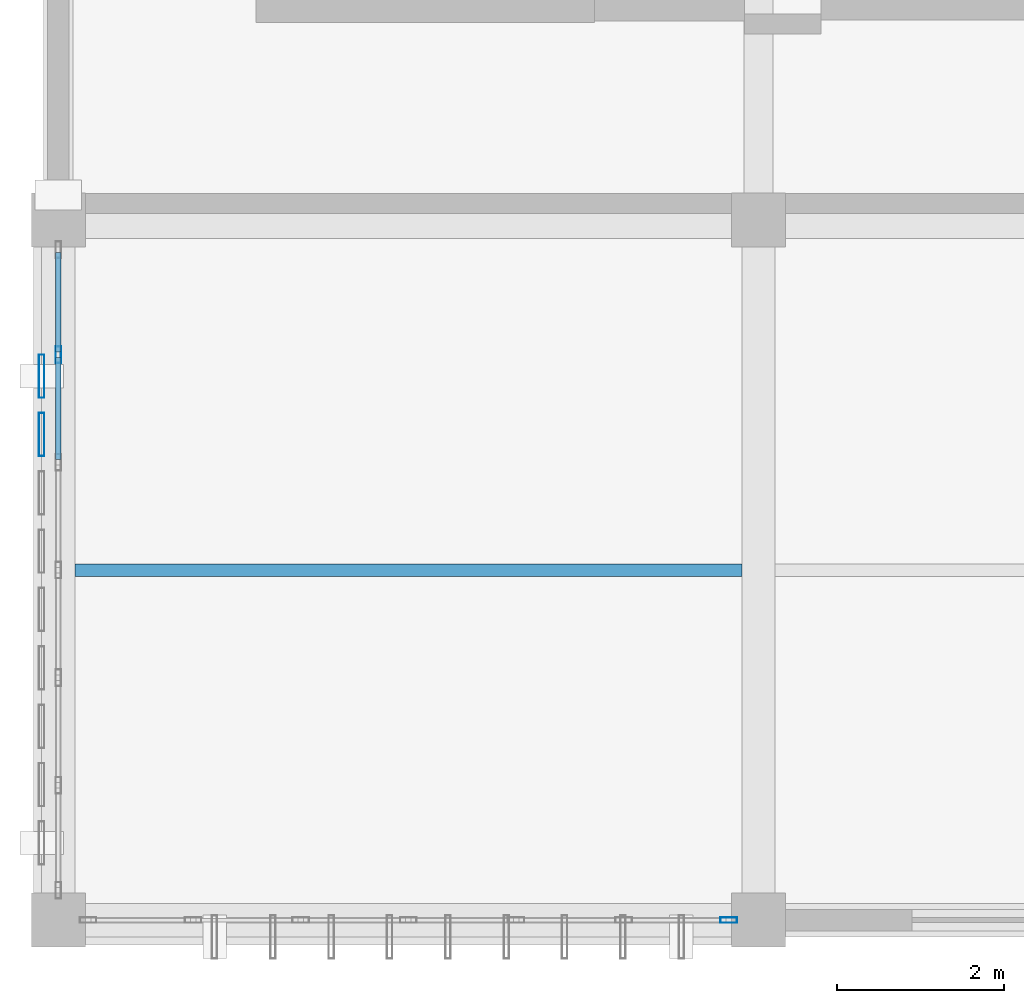
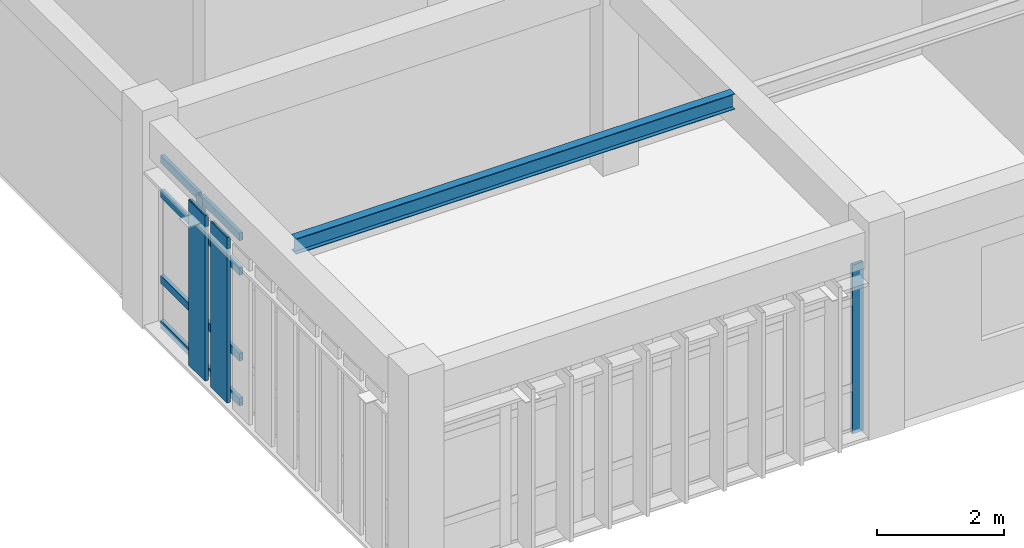
# One storey, part 5 of 22: 12 members, 1 beam, 2 elements without a shape of their own.
"""IFC4 building model written with IfcOpenShell, lengths in metres."""

from ifc_helpers import new_model, si_unit, direction, frame, origin, origin_2d, place, context, subcontext, project, spatial, hollow_rectangle, i_section, extrude, material, layer, layer_set, material_profile, profile_set, type_object, element, aggregate, save


model = new_model("IFC4")

# Units and contexts
model_context = context("Model", 3, precision=1e-05, world=origin(), true_north=direction((0.0, 1.0)))
body_context = subcontext(model_context, "Body", "Model", "MODEL_VIEW")
ifc_project = project(units=[si_unit("LENGTHUNIT", "METRE"), si_unit("AREAUNIT", "SQUARE_METRE"), si_unit("VOLUMEUNIT", "CUBIC_METRE"), si_unit("PLANEANGLEUNIT", "RADIAN"), si_unit("MASSUNIT", "GRAM", prefix="KILO")], contexts=[model_context])

# Site, building, storey
site_placement = place(None, origin())
site = spatial("IfcSite", under=ifc_project, at=site_placement, CompositionType="ELEMENT")
building_placement = place(site_placement, origin())
building = spatial("IfcBuilding", under=site, at=building_placement, Name="Krzemoval Escarpment Law Courts", CompositionType="ELEMENT")
storey_placement = place(building_placement, frame((0.0, 0.0, 29.39990234375)))
storey = spatial("IfcBuildingStorey", under=building, at=storey_placement, Name="L06", CompositionType="ELEMENT", Elevation=29.39990234375)

# Curtain wall, member
ifc_material_1 = material(Name="Aluminium 6063-T6", Category="aluminium")
ifc_layer = layer(ifc_material_1, 0.219970703125)
ifc_layer_set = layer_set([ifc_layer], Name="Aluminium 6063-T6")
curtain_wall_type = type_object("IfcCurtainWallType", Name="CW-CHMB-4200", PredefinedType="USERDEFINED", material=ifc_layer_set)
curtain_wall_1_placement = place(storey_placement, origin())
curtain_wall_1 = element("IfcCurtainWall", 1, at=curtain_wall_1_placement, inside=storey, type_object=curtain_wall_type, Name="Unitised Curtain Wall FCW-L06-145", ObjectType="UNITISED_CURTAIN_WALL", PredefinedType="USERDEFINED")
ifc_material_2 = material(Name="Aluminium 6063-T6", Category="aluminium")
ifc_material_profile_1 = material_profile(ifc_material_2, hollow_rectangle(XDim=0.06494140625, YDim=0.199951171875, WallThickness=0.00439453125, at=origin_2d()), Name="ALU M65x200")
ifc_profile_set_1 = profile_set([ifc_material_profile_1], Name="Aluminium 6063-T6")
member_type_1 = type_object("IfcMemberType", Name="CWM-65x200", PredefinedType="MULLION", material=ifc_profile_set_1)
member_1_placement = place(storey_placement, frame((134.04248046875, 85.199951171875, 0.0), z_axis=(0.0, 0.0, 1.0), x_axis=(0.0, -1.0, 0.0)))
member_1 = element("IfcMember", 2, at=member_1_placement, type_object=member_type_1, Name="FCW-L06-145 mullion 1", PredefinedType="MULLION", context=body_context, shape_type="SweptSolid", body=[
    extrude(hollow_rectangle(XDim=0.06494140625, YDim=0.199951171875, WallThickness=0.00439453125, at=origin_2d()), origin(), (0.0, 0.0, 1.0), 3.25),
])
aggregate(curtain_wall_1, [member_1])

# Curtain wall, members
curtain_wall_2_placement = place(storey_placement, origin())
curtain_wall_2 = element("IfcCurtainWall", 3, at=curtain_wall_2_placement, inside=storey, type_object=curtain_wall_type, Name="Unitised Curtain Wall FCW-L06-146", ObjectType="UNITISED_CURTAIN_WALL", PredefinedType="USERDEFINED")
member_2_placement = place(storey_placement, frame((126.0, 91.9833984375, 0.0), z_axis=(0.0, 0.0, 1.0), x_axis=(-1.0, 0.0, 0.0)))
member_2 = element("IfcMember", 4, at=member_2_placement, type_object=member_type_1, Name="FCW-L06-146 mullion 6", PredefinedType="MULLION", context=body_context, shape_type="SweptSolid", body=[
    extrude(hollow_rectangle(XDim=0.06494140625, YDim=0.199951171875, WallThickness=0.00439453125, at=origin_2d()), origin(), (0.0, 0.0, 1.0), 3.25),
])
ifc_material_3 = material(Name="Aluminium 6063-T6", Category="aluminium")
ifc_material_profile_2 = material_profile(ifc_material_3, hollow_rectangle(XDim=0.06494140625, YDim=0.14990234375, WallThickness=0.00439453125, at=origin_2d()), Name="ALU T65x150")
ifc_profile_set_2 = profile_set([ifc_material_profile_2], Name="Aluminium 6063-T6")
member_type_2 = type_object("IfcMemberType", Name="CWT-65x150", PredefinedType="USERDEFINED", material=ifc_profile_set_2)
member_3_placement = place(storey_placement, frame((126.0, 90.72412109375, 0.03271484375), z_axis=(0.0, 1.0, 0.0), x_axis=(-1.0, 0.0, 0.0)))
member_3 = element("IfcMember", 5, at=member_3_placement, type_object=member_type_2, Name="FCW-L06-146 transom 5.1", ObjectType="TRANSOM", PredefinedType="USERDEFINED", context=body_context, shape_type="SweptSolid", body=[
    extrude(hollow_rectangle(XDim=0.06494140625, YDim=0.14990234375, WallThickness=0.00439453125, at=origin_2d()), origin(), (0.0, 0.0, 1.0), 1.226806640625),
])
member_4_placement = place(storey_placement, frame((126.0, 90.72412109375, 0.900146484375), z_axis=(0.0, 1.0, 0.0), x_axis=(-1.0, 0.0, 0.0)))
member_4 = element("IfcMember", 6, at=member_4_placement, type_object=member_type_2, Name="FCW-L06-146 transom 5.2", ObjectType="TRANSOM", PredefinedType="USERDEFINED", context=body_context, shape_type="SweptSolid", body=[
    extrude(hollow_rectangle(XDim=0.06494140625, YDim=0.14990234375, WallThickness=0.00439453125, at=origin_2d()), origin(), (0.0, 0.0, 1.0), 1.226806640625),
])
member_5_placement = place(storey_placement, frame((126.0, 90.72412109375, 2.550048828125), z_axis=(0.0, 1.0, 0.0), x_axis=(-1.0, 0.0, 0.0)))
member_5 = element("IfcMember", 7, at=member_5_placement, type_object=member_type_2, Name="FCW-L06-146 transom 5.3", ObjectType="TRANSOM", PredefinedType="USERDEFINED", context=body_context, shape_type="SweptSolid", body=[
    extrude(hollow_rectangle(XDim=0.06494140625, YDim=0.14990234375, WallThickness=0.00439453125, at=origin_2d()), origin(), (0.0, 0.0, 1.0), 1.226806640625),
])
member_6_placement = place(storey_placement, frame((126.0, 90.72412109375, 3.217529296875), z_axis=(0.0, 1.0, 0.0), x_axis=(-1.0, 0.0, 0.0)))
member_6 = element("IfcMember", 8, at=member_6_placement, type_object=member_type_2, Name="FCW-L06-146 transom 5.4", ObjectType="TRANSOM", PredefinedType="USERDEFINED", context=body_context, shape_type="SweptSolid", body=[
    extrude(hollow_rectangle(XDim=0.06494140625, YDim=0.14990234375, WallThickness=0.00439453125, at=origin_2d()), origin(), (0.0, 0.0, 1.0), 1.226806640625),
])
member_7_placement = place(storey_placement, frame((126.0, 92.015869140625, 0.03271484375), z_axis=(0.0, 1.0, 0.0), x_axis=(-1.0, 0.0, 0.0)))
member_7 = element("IfcMember", 9, at=member_7_placement, type_object=member_type_2, Name="FCW-L06-146 transom 6.1", ObjectType="TRANSOM", PredefinedType="USERDEFINED", context=body_context, shape_type="SweptSolid", body=[
    extrude(hollow_rectangle(XDim=0.06494140625, YDim=0.14990234375, WallThickness=0.00439453125, at=origin_2d()), origin(), (0.0, 0.0, 1.0), 1.194091796875),
])
member_8_placement = place(storey_placement, frame((126.0, 92.015869140625, 0.900146484375), z_axis=(0.0, 1.0, 0.0), x_axis=(-1.0, 0.0, 0.0)))
member_8 = element("IfcMember", 10, at=member_8_placement, type_object=member_type_2, Name="FCW-L06-146 transom 6.2", ObjectType="TRANSOM", PredefinedType="USERDEFINED", context=body_context, shape_type="SweptSolid", body=[
    extrude(hollow_rectangle(XDim=0.06494140625, YDim=0.14990234375, WallThickness=0.00439453125, at=origin_2d()), origin(), (0.0, 0.0, 1.0), 1.194091796875),
])
member_9_placement = place(storey_placement, frame((126.0, 92.015869140625, 2.550048828125), z_axis=(0.0, 1.0, 0.0), x_axis=(-1.0, 0.0, 0.0)))
member_9 = element("IfcMember", 11, at=member_9_placement, type_object=member_type_2, Name="FCW-L06-146 transom 6.3", ObjectType="TRANSOM", PredefinedType="USERDEFINED", context=body_context, shape_type="SweptSolid", body=[
    extrude(hollow_rectangle(XDim=0.06494140625, YDim=0.14990234375, WallThickness=0.00439453125, at=origin_2d()), origin(), (0.0, 0.0, 1.0), 1.194091796875),
])
member_10_placement = place(storey_placement, frame((126.0, 92.015869140625, 3.217529296875), z_axis=(0.0, 1.0, 0.0), x_axis=(-1.0, 0.0, 0.0)))
member_10 = element("IfcMember", 12, at=member_10_placement, type_object=member_type_2, Name="FCW-L06-146 transom 6.4", ObjectType="TRANSOM", PredefinedType="USERDEFINED", context=body_context, shape_type="SweptSolid", body=[
    extrude(hollow_rectangle(XDim=0.06494140625, YDim=0.14990234375, WallThickness=0.00439453125, at=origin_2d()), origin(), (0.0, 0.0, 1.0), 1.194091796875),
])
aggregate(curtain_wall_2, [member_2, member_3, member_4, member_5, member_6, member_7, member_8, member_9, member_10])

# Beam
ifc_material_4 = material(Name="Steel S355", Category="steel")
ifc_material_profile_3 = material_profile(ifc_material_4, i_section(OverallWidth=0.14990234375, OverallDepth=0.300048828125, WebThickness=0.007080078125, FlangeThickness=0.0107421875, at=origin_2d()), Name="IPE 300")
ifc_profile_set_3 = profile_set([ifc_material_profile_3], Name="Steel S355")
beam_type = type_object("IfcBeamType", Name="JST-S355-IPE300", PredefinedType="JOIST", material=ifc_profile_set_3)
beam_placement = place(storey_placement, frame((126.199951171875, 89.39990234375, 3.800048828125), z_axis=(1.0, 0.0, 0.0), x_axis=(0.0, 1.0, 0.0)))
element("IfcBeam", 13, at=beam_placement, inside=storey, type_object=beam_type, Name="Secondary Joist FJ-L06-2691", PredefinedType="JOIST", context=body_context, shape_type="SweptSolid", body=[
    extrude(i_section(OverallWidth=0.14990234375, OverallDepth=0.300048828125, WebThickness=0.007080078125, FlangeThickness=0.0107421875, at=origin_2d()), origin(), (0.0, 0.0, 1.0), 8.0),
])

# Members
ifc_material_5 = material(Name="Anodised Aluminium Alloy 6063-T6", Category="aluminium")
ifc_material_profile_4 = material_profile(ifc_material_5, hollow_rectangle(XDim=0.06494140625, YDim=0.52001953125, WallThickness=0.00439453125, at=origin_2d()), Name="ALU LVR 65x520")
ifc_profile_set_4 = profile_set([ifc_material_profile_4], Name="Anodised Aluminium Alloy 6063-T6")
member_type_3 = type_object("IfcMemberType", Name="LVR-ALU-520", PredefinedType="USERDEFINED", material=ifc_profile_set_4)
for number, where, z_axis, x_axis, name in (
    (14, (125.800048828125, 91.02490234375, 0.06005859375), (0.0, 0.0, 1.0), (1.0, 0.0, 0.0), "Sunshade Louvre Fin FLV-L06-0981"),
    (15, (125.800048828125, 91.72509765625, 0.06005859375), (0.0, 0.0, 1.0), (1.0, 0.0, 0.0), "Sunshade Louvre Fin FLV-L06-0982"),
):
    element("IfcMember", number, at=place(storey_placement, frame(where, z_axis=z_axis, x_axis=x_axis)), inside=storey, type_object=member_type_3, Name=name, ObjectType="SUNSHADE_LOUVRE", PredefinedType="USERDEFINED", context=body_context, shape_type="SweptSolid", body=[
        extrude(hollow_rectangle(XDim=0.06494140625, YDim=0.52001953125, WallThickness=0.00439453125, at=origin_2d()), origin(), (0.0, 0.0, 1.0), 3.18994140625),
    ])

save(model, "model.ifc")
